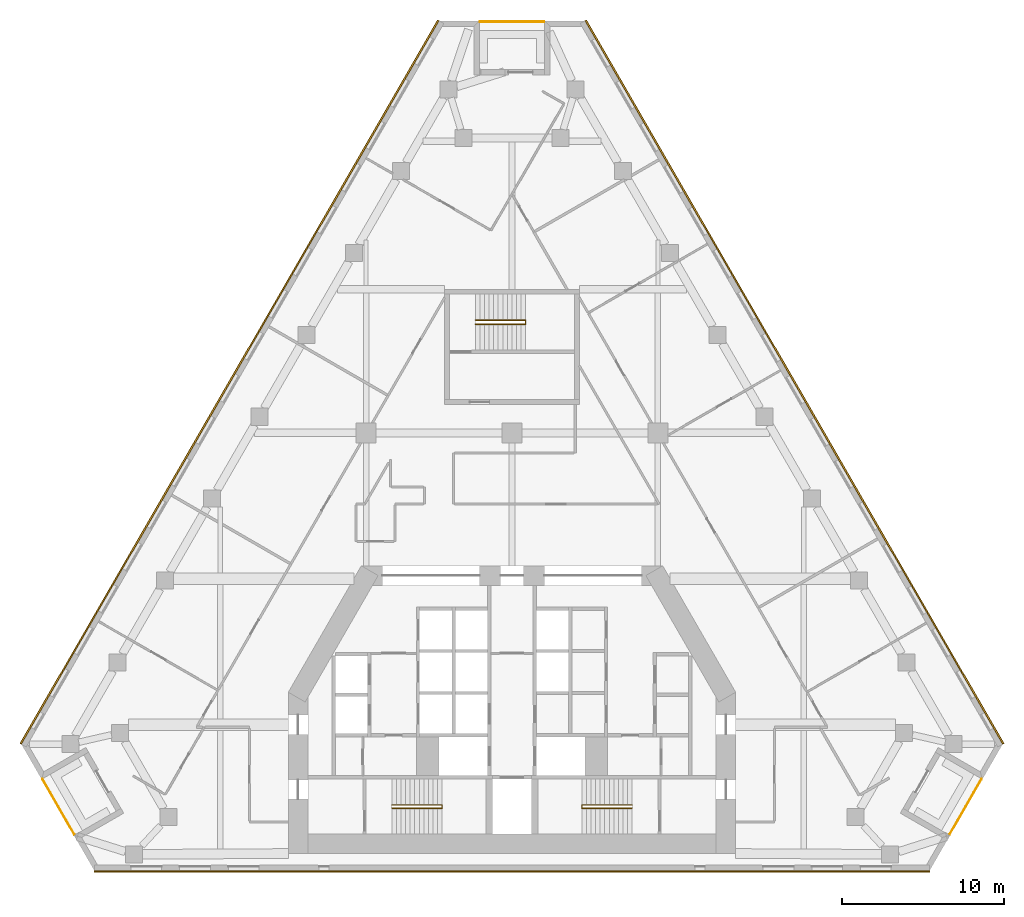
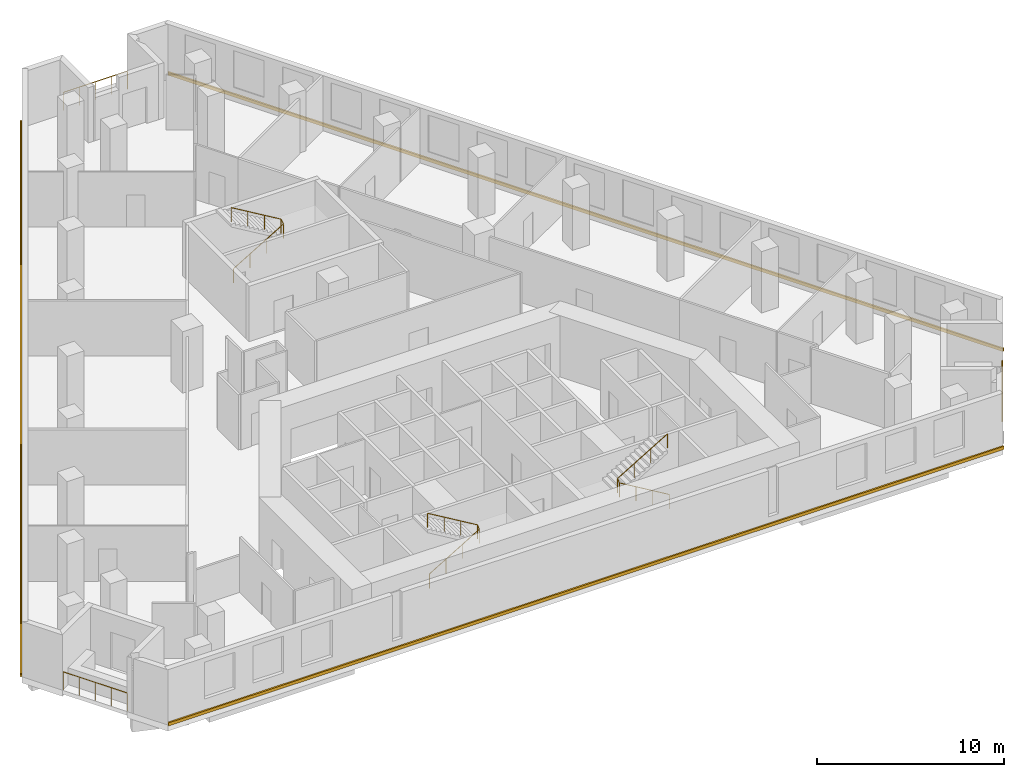
# One storey, part 10 of 10: 6 railings, 3 coverings.
"""IFC4 building model written with IfcOpenShell, lengths in metres."""

import ifcopenshell
import ifcopenshell.guid

model = None  # the IFC model being written
_history = None  # IfcOwnerHistory: only IFC2X3 demands one
_inside = {}  # id of a spatial element -> (the spatial element, [elements in it])
_under = {}  # id of a project, library or spatial element -> (it, [spatial elements below it])
_declared = {}  # id of a project -> (the project, [libraries it declares])
_typed = {}  # id of a type object -> (the type object, [elements of that type])
_made_of = {}  # id of a material, layer set ... -> (it, [elements and type objects made of it])


def new_model(schema):
    """Start an empty IFC model of exactly this schema.

    Asked for "IFC4X3", IfcOpenShell would pick the latest addendum, in which some entities
    have other attributes; the version numbers below select the first issue.
    IFC2X3 requires an IfcOwnerHistory on every rooted entity: one is made here for all.
    """
    global model, _history
    if schema == "IFC4X3":
        model = ifcopenshell.file(schema_version=(4, 3, 0, 0))
    else:
        model = ifcopenshell.file(schema=schema)
    _inside.clear()
    _under.clear()
    _declared.clear()
    _typed.clear()
    _made_of.clear()
    _history = None
    if model.schema == "IFC2X3":
        org = make("IfcOrganization", Name="unknown")
        user = make(
            "IfcPersonAndOrganization",
            ThePerson=make("IfcPerson", FamilyName="unknown"),
            TheOrganization=org,
        )
        app = make(
            "IfcApplication",
            ApplicationDeveloper=org,
            Version="unknown",
            ApplicationFullName="unknown",
            ApplicationIdentifier="unknown",
        )
        _history = make(
            "IfcOwnerHistory",
            OwningUser=user,
            OwningApplication=app,
            ChangeAction="ADDED",
            CreationDate=0,
        )
    return model


def make(cls, **values):
    """One entity of the class cls with the attributes given. An attribute that is None is left unset."""
    return model.create_entity(
        cls, **{name: value for name, value in values.items() if value is not None}
    )


def rooted(cls, **values):
    """An entity with a GlobalId (a new one), such as an element, a storey or a relation."""
    return make(cls, GlobalId=ifcopenshell.guid.new(), OwnerHistory=_history, **values)


def si_unit(unit_type, name, prefix=None):
    """IfcSIUnit, for example si_unit("LENGTHUNIT", "METRE", prefix="MILLI")."""
    return make("IfcSIUnit", UnitType=unit_type, Prefix=prefix, Name=name)


def assignment(units):
    """IfcUnitAssignment: the units of a project."""
    return None if units is None else make("IfcUnitAssignment", Units=units)


def point(xyz):
    """IfcCartesianPoint."""
    return None if xyz is None else make("IfcCartesianPoint", Coordinates=xyz)


def direction(xyz):
    """IfcDirection."""
    return None if xyz is None else make("IfcDirection", DirectionRatios=xyz)


def frame(location, z_axis=None, x_axis=None):
    """IfcAxis2Placement3D, a coordinate frame: its origin and axes. An axis left out is left unset."""
    return make(
        "IfcAxis2Placement3D",
        Location=point(location),
        Axis=direction(z_axis),
        RefDirection=direction(x_axis),
    )


def frame_2d(location, x_axis=None):
    """IfcAxis2Placement2D, a coordinate frame in the plane: its origin and x axis."""
    return make(
        "IfcAxis2Placement2D", Location=point(location), RefDirection=direction(x_axis)
    )


def origin():
    """The frame at (0, 0, 0) with its axes left unset."""
    return frame((0.0, 0.0, 0.0))


def origin_2d():
    """The frame at (0, 0) in the plane with its x axis left unset."""
    return frame_2d((0.0, 0.0))


def place(relative_to, where):
    """IfcLocalPlacement: puts the frame where relative to a parent placement (None: the world)."""
    return make(
        "IfcLocalPlacement", PlacementRelTo=relative_to, RelativePlacement=where
    )


def context(
    kind, dimensions, precision=None, world=None, true_north=None, identifier=None
):
    """IfcGeometricRepresentationContext, for example the 3D "Model" context."""
    return make(
        "IfcGeometricRepresentationContext",
        ContextIdentifier=identifier,
        ContextType=kind,
        CoordinateSpaceDimension=dimensions,
        Precision=precision,
        WorldCoordinateSystem=world,
        TrueNorth=true_north,
    )


def subcontext(parent, identifier, kind, view, scale=None):
    """IfcGeometricRepresentationSubContext, for example "Body" below "Model"."""
    return make(
        "IfcGeometricRepresentationSubContext",
        ContextIdentifier=identifier,
        ContextType=kind,
        ParentContext=parent,
        TargetScale=scale,
        TargetView=view,
    )


def project(units=None, contexts=None):
    """IfcProject with its units and contexts."""
    return rooted(
        "IfcProject",
        Name="project",
        RepresentationContexts=contexts,
        UnitsInContext=assignment(units),
    )


def spatial(cls, under=None, at=None, **own):
    """A site, building, storey or space (cls), placed at a placement, below another one or the project."""
    s = rooted(cls, ObjectPlacement=at, **own)
    if under is not None:
        _under.setdefault(under.id(), (under, []))[1].append(s)
    return s


def polyline(points):
    """IfcPolyline through the points."""
    return make("IfcPolyline", Points=[point(p) for p in points])


def profile(cls, at=None, kind="AREA", **sizes):
    """A parametric profile (cls). Its sizes go by their IFC names, for example OverallWidth=200.0."""
    return make(cls, ProfileType=kind, Position=at, **sizes)


def circle(**sizes):
    """IfcCircleProfileDef."""
    return profile("IfcCircleProfileDef", **sizes)


def outline(outer, holes=None, kind="AREA"):
    """IfcArbitraryClosedProfileDef: a profile drawn as a closed curve; with holes, ...WithVoids."""
    if holes is None:
        return make("IfcArbitraryClosedProfileDef", ProfileType=kind, OuterCurve=outer)
    return make(
        "IfcArbitraryProfileDefWithVoids",
        ProfileType=kind,
        OuterCurve=outer,
        InnerCurves=holes,
    )


def extrude(swept, where, along, depth):
    """IfcExtrudedAreaSolid: the profile swept, set in the frame where, extruded along a direction by depth."""
    return make(
        "IfcExtrudedAreaSolid",
        SweptArea=swept,
        Position=where,
        ExtrudedDirection=direction(along),
        Depth=depth,
    )


def shape(context_of_items, identifier, shape_type, items):
    """IfcShapeRepresentation: the items that make up one representation, for example the "Body"."""
    return make(
        "IfcShapeRepresentation",
        ContextOfItems=context_of_items,
        RepresentationIdentifier=identifier,
        RepresentationType=shape_type,
        Items=items,
    )


def material(Name=None, Category=None):
    """IfcMaterial."""
    return make("IfcMaterial", Name=Name, Category=Category)


def made_of(thing, what):
    """Note that an element or type object is made of a material, layer set ...; save() writes the relation."""
    if what is not None:
        _made_of.setdefault(what.id(), (what, []))[1].append(thing)
    return thing


def type_object(cls, material=None, **own):
    """A type object (cls), such as IfcWallType, which elements share."""
    return made_of(rooted(cls, **own), material)


def element(
    cls,
    number,
    at=None,
    inside=None,
    cuts=None,
    type_object=None,
    material=None,
    context=None,
    identifier="Body",
    shape_type=None,
    held_by="IfcProductDefinitionShape",
    body=None,
    shapes=None,
    **own,
):
    """One element of the class cls, such as IfcWall. Its Tag is "e" and its number.

    at: its placement. inside: the storey or other place that contains it. cuts: it is an
    opening in that element (IfcRelVoidsElement). A single representation is given by context,
    identifier, shape_type and body (its items); several are given by shapes. held_by: the class
    of the entity that holds the representations. save() writes the other relations.
    """
    e = rooted(cls, Tag="e%d" % number, ObjectPlacement=at, **own)
    if body is not None:
        shapes = [shape(context, identifier, shape_type, body)]
    if shapes is not None:
        e.Representation = make(held_by, Representations=shapes)
    if inside is not None:
        _inside.setdefault(inside.id(), (inside, []))[1].append(e)
    if cuts is not None:
        rooted(
            "IfcRelVoidsElement", RelatingBuildingElement=cuts, RelatedOpeningElement=e
        )
    if type_object is not None:
        _typed.setdefault(type_object.id(), (type_object, []))[1].append(e)
    return made_of(e, material)


def aggregate(whole, parts):
    """IfcRelAggregates: a whole, such as a stair, and the parts it consists of."""
    return rooted("IfcRelAggregates", RelatingObject=whole, RelatedObjects=parts)


def save(model, path):
    """Write the relations noted so far, then the file.

    IfcRelAggregates (storeys below a building ...), IfcRelContainedInSpatialStructure (elements
    in a storey), IfcRelDefinesByType, IfcRelAssociatesMaterial and IfcRelDeclares: one each for
    every whole, place, type object, material and project.
    """
    for whole, parts in _under.values():
        aggregate(whole, parts)
    for where, things in _inside.values():
        rooted(
            "IfcRelContainedInSpatialStructure",
            RelatedElements=things,
            RelatingStructure=where,
        )
    for kind, things in _typed.values():
        rooted("IfcRelDefinesByType", RelatedObjects=things, RelatingType=kind)
    for what, things in _made_of.values():
        rooted("IfcRelAssociatesMaterial", RelatedObjects=things, RelatingMaterial=what)
    for by, libraries in _declared.values():
        rooted("IfcRelDeclares", RelatingContext=by, RelatedDefinitions=libraries)
    model.write(path)


model = new_model("IFC4")

# Units and contexts
model_context = context("Model", 3, precision=1e-05, world=origin(), true_north=direction((0.0, 1.0)))
body_context = subcontext(model_context, "Body", "Model", "MODEL_VIEW")
ifc_project = project(units=[si_unit("LENGTHUNIT", "METRE"), si_unit("AREAUNIT", "SQUARE_METRE"), si_unit("VOLUMEUNIT", "CUBIC_METRE"), si_unit("PLANEANGLEUNIT", "RADIAN"), si_unit("MASSUNIT", "GRAM", prefix="KILO")], contexts=[model_context])

# Site, building, storey
site_placement = place(None, origin())
site = spatial("IfcSite", under=ifc_project, at=site_placement, CompositionType="ELEMENT")
building_placement = place(site_placement, origin())
building = spatial("IfcBuilding", under=site, at=building_placement, Name="Fogline Exchange Tower", CompositionType="ELEMENT")
storey_placement = place(building_placement, frame((0.0, 0.0, 108.10009765625)))
storey = spatial("IfcBuildingStorey", under=building, at=storey_placement, Name="L23", CompositionType="ELEMENT", Elevation=108.10009765625)

# Railings
ifc_material_1 = material(Name="Stainless steel 304", Category="steel")
railing_type_1 = type_object("IfcRailingType", Name="G1", PredefinedType="GUARDRAIL", material=ifc_material_1)
railing_1_placement = place(storey_placement, frame((-28.9619140625, 5.635986328125, 0.0)))
element("IfcRailing", 1, at=railing_1_placement, inside=storey, type_object=railing_type_1, Name="Balcony guard L23 SW", PredefinedType="GUARDRAIL", context=body_context, shape_type="SweptSolid", body=[
    extrude(circle(Radius=0.02392578125, at=origin_2d()), frame((0.0, 0.0, 1.17578125), z_axis=(0.500000102728, -0.866025344474, 0.0), x_axis=(0.866025344474, 0.500000102728, 0.0)), (0.0, 0.0, 1.0), 3.9580078125),
    extrude(circle(Radius=0.02099609375, at=origin_2d()), origin(), (0.0, 0.0, 1.0), 1.15185546875),
    extrude(circle(Radius=0.02099609375, at=origin_2d()), frame((0.49462890625, -0.85693359375, 0.0)), (0.0, 0.0, 1.0), 1.15185546875),
    extrude(circle(Radius=0.02099609375, at=origin_2d()), frame((0.989501953125, -1.7138671875, 0.0)), (0.0, 0.0, 1.0), 1.15185546875),
    extrude(circle(Radius=0.02099609375, at=origin_2d()), frame((1.484375, -2.57080078125, 0.0)), (0.0, 0.0, 1.0), 1.15185546875),
    extrude(circle(Radius=0.02099609375, at=origin_2d()), frame((1.97900390625, -3.427734375, 0.0)), (0.0, 0.0, 1.0), 1.15185546875),
])
railing_2_placement = place(storey_placement, frame((26.98291015625, 2.208251953125, 0.0)))
element("IfcRailing", 2, at=railing_2_placement, inside=storey, type_object=railing_type_1, Name="Balcony guard L23 SE", PredefinedType="GUARDRAIL", context=body_context, shape_type="SweptSolid", body=[
    extrude(circle(Radius=0.02392578125, at=origin_2d()), frame((0.0, 0.0, 1.17578125), z_axis=(0.500000102728, 0.866025344474, 0.0), x_axis=(-0.866025344474, 0.500000102728, 0.0)), (0.0, 0.0, 1.0), 3.9580078125),
    extrude(circle(Radius=0.02099609375, at=origin_2d()), origin(), (0.0, 0.0, 1.0), 1.15185546875),
    extrude(circle(Radius=0.02099609375, at=origin_2d()), frame((0.49462890625, 0.85693359375, 0.0)), (0.0, 0.0, 1.0), 1.15185546875),
    extrude(circle(Radius=0.02099609375, at=origin_2d()), frame((0.989501953125, 1.7138671875, 0.0)), (0.0, 0.0, 1.0), 1.15185546875),
    extrude(circle(Radius=0.02099609375, at=origin_2d()), frame((1.484375, 2.57080078125, 0.0)), (0.0, 0.0, 1.0), 1.15185546875),
    extrude(circle(Radius=0.02099609375, at=origin_2d()), frame((1.97900390625, 3.427734375, 0.0)), (0.0, 0.0, 1.0), 1.15185546875),
])
railing_3_placement = place(storey_placement, frame((1.97900390625, 52.37158203125, 0.0)))
element("IfcRailing", 3, at=railing_3_placement, inside=storey, type_object=railing_type_1, Name="Balcony guard L23 N", PredefinedType="GUARDRAIL", context=body_context, shape_type="SweptSolid", body=[
    extrude(circle(Radius=0.02392578125, at=origin_2d()), frame((0.0, 0.0, 1.17578125), z_axis=(-1.0, 0.0, 0.0), x_axis=(0.0, -1.0, 0.0)), (0.0, 0.0, 1.0), 3.9580078125),
    extrude(circle(Radius=0.02099609375, at=origin_2d()), origin(), (0.0, 0.0, 1.0), 1.15185546875),
    extrude(circle(Radius=0.02099609375, at=origin_2d()), frame((-0.989501953125, 0.0, 0.0)), (0.0, 0.0, 1.0), 1.15185546875),
    extrude(circle(Radius=0.02099609375, at=origin_2d()), frame((-1.97900390625, 0.0, 0.0)), (0.0, 0.0, 1.0), 1.15185546875),
    extrude(circle(Radius=0.02099609375, at=origin_2d()), frame((-2.968505859375, 0.0, 0.0)), (0.0, 0.0, 1.0), 1.15185546875),
    extrude(circle(Radius=0.02099609375, at=origin_2d()), frame((-3.9580078125, 0.0, 0.0)), (0.0, 0.0, 1.0), 1.15185546875),
])
ifc_material_2 = material(Name="Steel Q235B", Category="steel")
railing_type_2 = type_object("IfcRailingType", Name="RL-HR", PredefinedType="HANDRAIL", material=ifc_material_2)
railing_4_placement = place(storey_placement, frame((-7.39990234375, 3.85009765625, 0.16650390625)))
element("IfcRailing", 4, at=railing_4_placement, inside=storey, type_object=railing_type_2, Name="Handrail ST1", PredefinedType="HANDRAIL", context=body_context, shape_type="SweptSolid", body=[
    extrude(circle(Radius=0.02392578125, at=origin_2d()), frame((0.0, 0.0, 0.92578125), z_axis=(0.859260807169, 0.0, 0.511537745687), x_axis=(0.0, 1.0, 0.0)), (0.0, 0.0, 1.0), 3.584228515625),
    extrude(circle(Radius=0.02392578125, at=origin_2d()), frame((3.079833984375, 0.0, 2.75927734375), z_axis=(0.0, 0.768451954486, 0.639907488351), x_axis=(-1.0, 0.0, 0.0)), (0.0, 0.0, 1.0), 0.26025390625),
    extrude(circle(Radius=0.02392578125, at=origin_2d()), frame((3.079833984375, 0.199951171875, 2.92578125), z_axis=(-0.859260807169, 0.0, 0.511537745687), x_axis=(0.0, -1.0, 0.0)), (0.0, 0.0, 1.0), 3.584228515625),
    extrude(circle(Radius=0.02099609375, at=origin_2d()), origin(), (0.0, 0.0, 1.0), 0.90185546875),
    extrude(circle(Radius=0.02099609375, at=origin_2d()), frame((1.026611328125, 0.0, 0.611083984375)), (0.0, 0.0, 1.0), 0.90185546875),
    extrude(circle(Radius=0.02099609375, at=origin_2d()), frame((2.05322265625, 0.0, 1.222412109375)), (0.0, 0.0, 1.0), 0.90185546875),
    extrude(circle(Radius=0.02099609375, at=origin_2d()), frame((3.079833984375, 0.0, 1.83349609375)), (0.0, 0.0, 1.0), 0.90185546875),
    extrude(circle(Radius=0.02099609375, at=origin_2d()), frame((3.079833984375, 0.199951171875, 2.0)), (0.0, 0.0, 1.0), 0.90185546875),
    extrude(circle(Radius=0.02099609375, at=origin_2d()), frame((2.05322265625, 0.199951171875, 2.611083984375)), (0.0, 0.0, 1.0), 0.90185546875),
    extrude(circle(Radius=0.02099609375, at=origin_2d()), frame((1.026611328125, 0.199951171875, 3.222412109375)), (0.0, 0.0, 1.0), 0.90185546875),
    extrude(circle(Radius=0.02099609375, at=origin_2d()), frame((0.0, 0.199951171875, 3.83349609375)), (0.0, 0.0, 1.0), 0.90185546875),
])
railing_5_placement = place(storey_placement, frame((7.39990234375, 3.85009765625, 0.16650390625)))
element("IfcRailing", 5, at=railing_5_placement, inside=storey, type_object=railing_type_2, Name="Handrail ST2", PredefinedType="HANDRAIL", context=body_context, shape_type="SweptSolid", body=[
    extrude(circle(Radius=0.02392578125, at=origin_2d()), frame((0.0, 0.0, 0.92578125), z_axis=(-0.859260807169, 0.0, 0.511537745687), x_axis=(0.0, -1.0, 0.0)), (0.0, 0.0, 1.0), 3.584228515625),
    extrude(circle(Radius=0.02392578125, at=origin_2d()), frame((-3.079833984375, 0.0, 2.75927734375), z_axis=(0.0, 0.768451954486, 0.639907488351), x_axis=(-1.0, 0.0, 0.0)), (0.0, 0.0, 1.0), 0.26025390625),
    extrude(circle(Radius=0.02392578125, at=origin_2d()), frame((-3.079833984375, 0.199951171875, 2.92578125), z_axis=(0.859260807169, 0.0, 0.511537745687), x_axis=(0.0, 1.0, 0.0)), (0.0, 0.0, 1.0), 3.584228515625),
    extrude(circle(Radius=0.02099609375, at=origin_2d()), origin(), (0.0, 0.0, 1.0), 0.90185546875),
    extrude(circle(Radius=0.02099609375, at=origin_2d()), frame((-1.026611328125, 0.0, 0.611083984375)), (0.0, 0.0, 1.0), 0.90185546875),
    extrude(circle(Radius=0.02099609375, at=origin_2d()), frame((-2.05322265625, 0.0, 1.222412109375)), (0.0, 0.0, 1.0), 0.90185546875),
    extrude(circle(Radius=0.02099609375, at=origin_2d()), frame((-3.079833984375, 0.0, 1.83349609375)), (0.0, 0.0, 1.0), 0.90185546875),
    extrude(circle(Radius=0.02099609375, at=origin_2d()), frame((-3.079833984375, 0.199951171875, 2.0)), (0.0, 0.0, 1.0), 0.90185546875),
    extrude(circle(Radius=0.02099609375, at=origin_2d()), frame((-2.05322265625, 0.199951171875, 2.611083984375)), (0.0, 0.0, 1.0), 0.90185546875),
    extrude(circle(Radius=0.02099609375, at=origin_2d()), frame((-1.026611328125, 0.199951171875, 3.222412109375)), (0.0, 0.0, 1.0), 0.90185546875),
    extrude(circle(Radius=0.02099609375, at=origin_2d()), frame((0.0, 0.199951171875, 3.83349609375)), (0.0, 0.0, 1.0), 0.90185546875),
])
railing_6_placement = place(storey_placement, frame((-2.25, 33.70703125, 0.16650390625)))
element("IfcRailing", 6, at=railing_6_placement, inside=storey, type_object=railing_type_2, Name="Handrail ST3", PredefinedType="HANDRAIL", context=body_context, shape_type="SweptSolid", body=[
    extrude(circle(Radius=0.02392578125, at=origin_2d()), frame((0.0, 0.0, 0.92578125), z_axis=(0.85927862911, 0.0, 0.511507807912), x_axis=(0.0, 1.0, 0.0)), (0.0, 0.0, 1.0), 3.58447265625),
    extrude(circle(Radius=0.02392578125, at=origin_2d()), frame((3.080078125, 0.0, 2.75927734375), z_axis=(0.0, 0.832300300006, 0.554325004496), x_axis=(-1.0, 0.0, 0.0)), (0.0, 0.0, 1.0), 0.30029296875),
    extrude(circle(Radius=0.02392578125, at=origin_2d()), frame((3.080078125, 0.25, 2.92578125), z_axis=(-0.85927862911, 0.0, 0.511507807912), x_axis=(0.0, -1.0, 0.0)), (0.0, 0.0, 1.0), 3.58447265625),
    extrude(circle(Radius=0.02099609375, at=origin_2d()), origin(), (0.0, 0.0, 1.0), 0.90185546875),
    extrude(circle(Radius=0.02099609375, at=origin_2d()), frame((1.026611328125, 0.0, 0.611083984375)), (0.0, 0.0, 1.0), 0.90185546875),
    extrude(circle(Radius=0.02099609375, at=origin_2d()), frame((2.053466796875, 0.0, 1.222412109375)), (0.0, 0.0, 1.0), 0.90185546875),
    extrude(circle(Radius=0.02099609375, at=origin_2d()), frame((3.080078125, 0.0, 1.83349609375)), (0.0, 0.0, 1.0), 0.90185546875),
    extrude(circle(Radius=0.02099609375, at=origin_2d()), frame((3.080078125, 0.25, 2.0)), (0.0, 0.0, 1.0), 0.90185546875),
    extrude(circle(Radius=0.02099609375, at=origin_2d()), frame((2.053466796875, 0.25, 2.611083984375)), (0.0, 0.0, 1.0), 0.90185546875),
    extrude(circle(Radius=0.02099609375, at=origin_2d()), frame((1.026611328125, 0.25, 3.222412109375)), (0.0, 0.0, 1.0), 0.90185546875),
    extrude(circle(Radius=0.02099609375, at=origin_2d()), frame((0.0, 0.25, 3.83349609375)), (0.0, 0.0, 1.0), 0.90185546875),
])

# Coverings
ifc_material_3 = material(Name="Brick masonry", Category="masonry")
covering_type = type_object("IfcCoveringType", Name="SB1", PredefinedType="CLADDING", material=ifc_material_3)
covering_1_placement = place(storey_placement, origin())
element("IfcCovering", 7, at=covering_1_placement, inside=storey, type_object=covering_type, Name="Stringcourse band L23 S", PredefinedType="CLADDING", context=body_context, shape_type="SweptSolid", body=[
    extrude(outline(polyline([(-25.765625, 0.0), (-25.765625, -0.10009765625), (25.765625, -0.10009765625), (25.765625, 0.0), (-25.765625, 0.0)])), origin(), (0.0, 0.0, 1.0), 0.199951171875),
])
covering_2_placement = place(storey_placement, origin())
element("IfcCovering", 8, at=covering_2_placement, inside=storey, type_object=covering_type, Name="Stringcourse band L23 E", PredefinedType="CLADDING", context=body_context, shape_type="SweptSolid", body=[
    extrude(outline(polyline([(30.265625, 7.794189453125), (30.352294921875, 7.84423828125), (4.586669921875, 52.4716796875), (4.5, 52.421630859375), (30.265625, 7.794189453125)])), origin(), (0.0, 0.0, 1.0), 0.199951171875),
])
covering_3_placement = place(storey_placement, origin())
element("IfcCovering", 9, at=covering_3_placement, inside=storey, type_object=covering_type, Name="Stringcourse band L23 W", PredefinedType="CLADDING", context=body_context, shape_type="SweptSolid", body=[
    extrude(outline(polyline([(-4.5, 52.421630859375), (-4.586669921875, 52.4716796875), (-30.352294921875, 7.84423828125), (-30.265625, 7.794189453125), (-4.5, 52.421630859375)])), origin(), (0.0, 0.0, 1.0), 0.199951171875),
])

save(model, "model.ifc")
